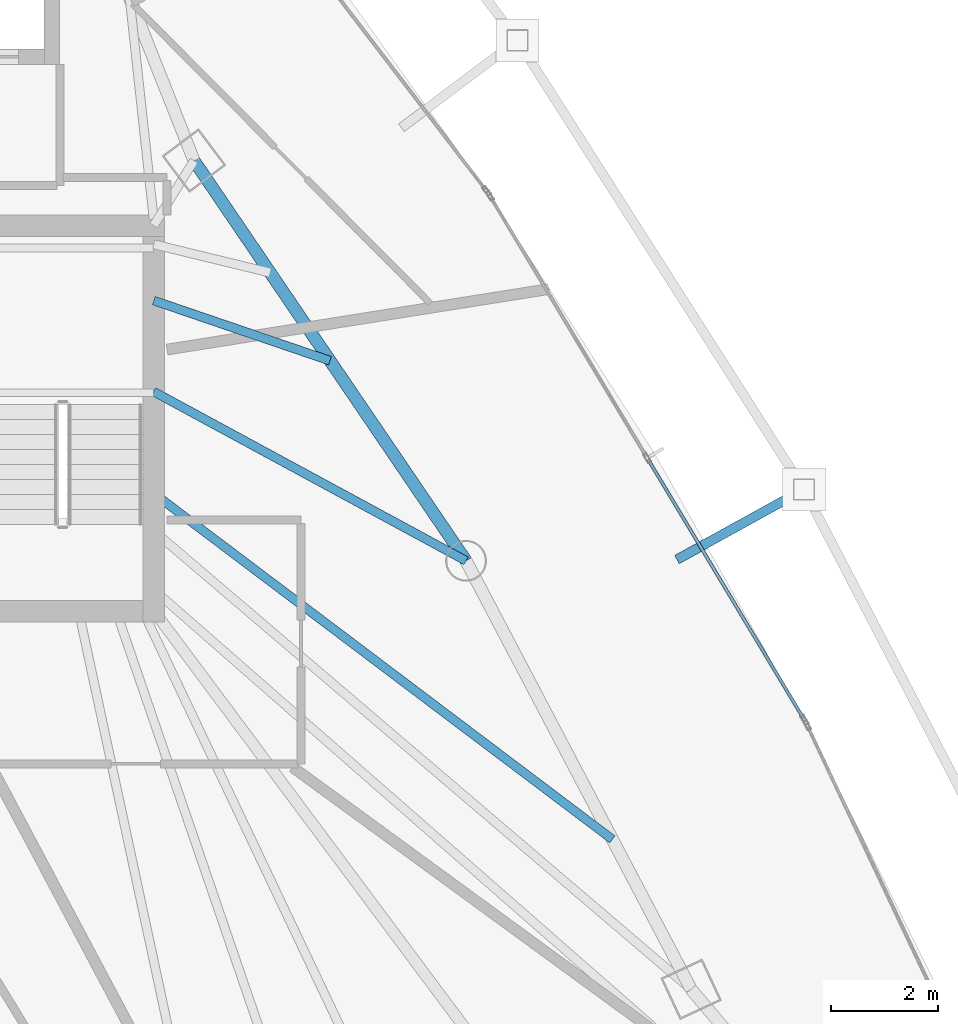
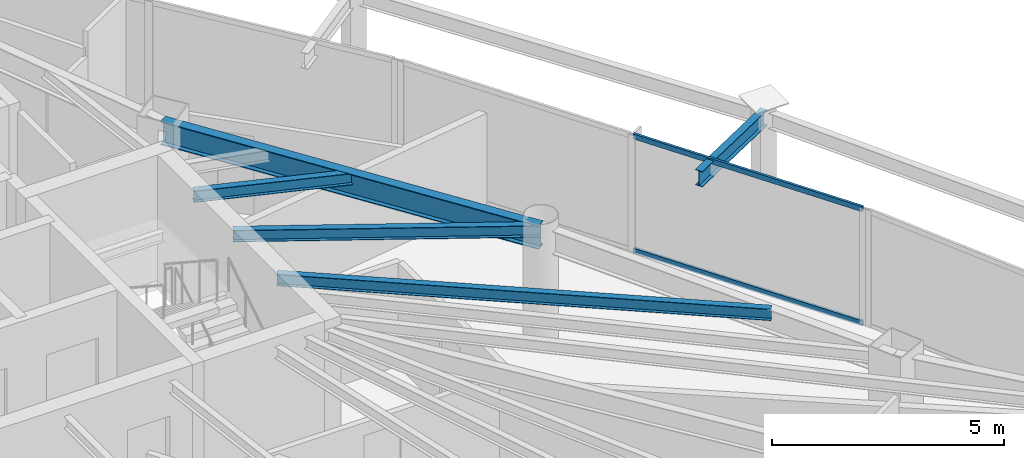
# One storey, part 17 of 33: 5 beams, 2 members, 1 element without a shape of its own.
"""IFC4 building model written with IfcOpenShell, lengths in metres."""

from ifc_helpers import new_model, si_unit, direction, frame, origin, origin_2d, place, context, subcontext, project, spatial, hollow_rectangle, i_section, extrude, material, layer, layer_set, material_profile, profile_set, type_object, element, aggregate, save


model = new_model("IFC4")

# Units and contexts
model_context = context("Model", 3, precision=1e-05, world=origin(), true_north=direction((0.0, 1.0)))
body_context = subcontext(model_context, "Body", "Model", "MODEL_VIEW")
ifc_project = project(units=[si_unit("LENGTHUNIT", "METRE"), si_unit("AREAUNIT", "SQUARE_METRE"), si_unit("VOLUMEUNIT", "CUBIC_METRE"), si_unit("PLANEANGLEUNIT", "RADIAN"), si_unit("MASSUNIT", "GRAM", prefix="KILO")], contexts=[model_context])

# Site, building, storey
site_placement = place(None, origin())
site = spatial("IfcSite", under=ifc_project, at=site_placement, CompositionType="ELEMENT")
building_placement = place(site_placement, origin())
building = spatial("IfcBuilding", under=site, at=building_placement, Name="Orvanel Arch Residences", CompositionType="ELEMENT")
storey_placement = place(building_placement, frame((0.0, 0.0, 123.199951171875)))
storey = spatial("IfcBuildingStorey", under=building, at=storey_placement, Name="L34", CompositionType="ELEMENT", Elevation=123.199951171875)

# Beams
ifc_material_1 = material(Name="Structural steel AS/NZS 3679.1 Grade 300 (300 MPa)", Category="steel")
ifc_material_profile_1 = material_profile(ifc_material_1, i_section(OverallWidth=0.1650390625, OverallDepth=0.303955078125, WebThickness=0.006103515625, FlangeThickness=0.01025390625, at=origin_2d()), Name="310UB40.4")
ifc_profile_set_1 = profile_set([ifc_material_profile_1], Name="Structural steel AS/NZS 3679.1 Grade 300 (300 MPa)")
beam_type_1 = type_object("IfcBeamType", Name="BJ-310UB", PredefinedType="JOIST", material=ifc_profile_set_1)
beam_1_placement = place(storey_placement, frame((39.60009765625, 30.800048828125, 2.907958984375), z_axis=(0.87925534649, -0.476350748576, 0.0), x_axis=(0.476350748576, 0.87925534649, 0.0)))
element("IfcBeam", 1, at=beam_1_placement, inside=storey, type_object=beam_type_1, Name="L34 NE Wing Floor Joist", PredefinedType="JOIST", context=body_context, shape_type="SweptSolid", body=[
    extrude(i_section(OverallWidth=0.1650390625, OverallDepth=0.303955078125, WebThickness=0.006103515625, FlangeThickness=0.01025390625, at=origin_2d()), origin(), (0.0, 0.0, 1.0), 6.631591796875),
])
beam_2_placement = place(storey_placement, frame((39.60009765625, 32.5, 2.907958984375), z_axis=(0.9464126781, -0.322959815969, 0.0), x_axis=(0.322959815969, 0.9464126781, 0.0)))
element("IfcBeam", 2, at=beam_2_placement, inside=storey, type_object=beam_type_1, Name="L34 ENE Wing Floor Joist", PredefinedType="JOIST", context=body_context, shape_type="SweptSolid", body=[
    extrude(i_section(OverallWidth=0.1650390625, OverallDepth=0.303955078125, WebThickness=0.006103515625, FlangeThickness=0.01025390625, at=origin_2d()), origin(), (0.0, 0.0, 1.0), 3.477294921875),
])
beam_3_placement = place(storey_placement, frame((39.60009765625, 28.89990234375, 2.907958984375), z_axis=(0.798363428886, -0.602175917334, 0.0), x_axis=(0.602175917334, 0.798363428886, 0.0)))
element("IfcBeam", 3, at=beam_3_placement, inside=storey, type_object=beam_type_1, Name="L34 CTE Wing Floor Joist", PredefinedType="JOIST", context=body_context, shape_type="SweptSolid", body=[
    extrude(i_section(OverallWidth=0.1650390625, OverallDepth=0.303955078125, WebThickness=0.006103515625, FlangeThickness=0.01025390625, at=origin_2d()), origin(), (0.0, 0.0, 1.0), 10.724365234375),
])
ifc_material_profile_2 = material_profile(ifc_material_1, i_section(OverallWidth=0.177978515625, OverallDepth=0.406005859375, WebThickness=0.0078125, FlangeThickness=0.0126953125, at=origin_2d()), Name="410UB59.7")
ifc_profile_set_2 = profile_set([ifc_material_profile_2], Name="Structural steel AS/NZS 3679.1 Grade 300 (300 MPa)")
beam_type_2 = type_object("IfcBeamType", Name="OB-410UB-EXT", PredefinedType="SPANDREL", material=ifc_profile_set_2)
beam_4_placement = place(storey_placement, frame((49.368896484375, 27.6650390625, 2.85693359375), z_axis=(0.87562896398, 0.48298438633, 0.0), x_axis=(-0.48298438633, 0.87562896398, 0.0)))
element("IfcBeam", 4, at=beam_4_placement, inside=storey, type_object=beam_type_2, Name="L34 Outer Frame Radial Tie Beam 10", PredefinedType="SPANDREL", context=body_context, shape_type="SweptSolid", body=[
    extrude(i_section(OverallWidth=0.177978515625, OverallDepth=0.406005859375, WebThickness=0.0078125, FlangeThickness=0.0126953125, at=origin_2d()), origin(), (0.0, 0.0, 1.0), 2.707763671875),
])
ifc_material_profile_3 = material_profile(ifc_material_1, i_section(OverallWidth=0.22900390625, OverallDepth=0.612060546875, WebThickness=0.011962890625, FlangeThickness=0.01953125, at=origin_2d()), Name="610UB125")
ifc_profile_set_3 = profile_set([ifc_material_profile_3], Name="Structural steel AS/NZS 3679.1 Grade 300 (300 MPa)")
beam_type_3 = type_object("IfcBeamType", Name="SP-610UB", PredefinedType="SPANDREL", material=ifc_profile_set_3)
beam_5_placement = place(storey_placement, frame((45.430908203125, 27.64111328125, 2.754150390625), z_axis=(-0.562154793153, 0.827032035978, 0.0), x_axis=(-0.827032035978, -0.562154793153, 0.0)))
element("IfcBeam", 5, at=beam_5_placement, inside=storey, type_object=beam_type_3, Name="L34 Perimeter Spandrel Beam 12", PredefinedType="SPANDREL", context=body_context, shape_type="SweptSolid", body=[
    extrude(i_section(OverallWidth=0.22900390625, OverallDepth=0.612060546875, WebThickness=0.011962890625, FlangeThickness=0.01953125, at=origin_2d()), origin(), (0.0, 0.0, 1.0), 9.03466796875),
])

# Curtain wall, members
ifc_material_2 = material(Name="Bronze-anodised aluminium AA6063-T6", Category="aluminium")
ifc_layer = layer(ifc_material_2, 0.179931640625)
ifc_layer_set = layer_set([ifc_layer], Name="Bronze-anodised aluminium AA6063-T6")
curtain_wall_type = type_object("IfcCurtainWallType", Name="CW3-MID-SYS", PredefinedType="NOTDEFINED", material=ifc_layer_set)
curtain_wall_placement = place(storey_placement, origin())
curtain_wall = element("IfcCurtainWall", 6, at=curtain_wall_placement, inside=storey, type_object=curtain_wall_type, Name="L34 CW3-MID-SYS Unitised Curtain Wall", PredefinedType="NOTDEFINED")
ifc_material_profile_4 = material_profile(ifc_material_2, hollow_rectangle(XDim=0.06005859375, YDim=0.135009765625, WallThickness=0.00390625, at=origin_2d()), Name="ALU135x60x4")
ifc_profile_set_4 = profile_set([ifc_material_profile_4], Name="Bronze-anodised aluminium AA6063-T6")
member_type = type_object("IfcMemberType", Name="TRN-135x60", PredefinedType="USERDEFINED", material=ifc_profile_set_4)
member_1_placement = place(storey_placement, frame((51.73095703125, 24.698974609375, 0.030029296875), z_axis=(-0.514444792144, 0.857523501623, 0.0), x_axis=(-0.857523501623, -0.514444792144, 0.0)))
member_1 = element("IfcMember", 7, at=member_1_placement, type_object=member_type, Name="CW-S3 transom 1.1", ObjectType="TRANSOM", PredefinedType="USERDEFINED", context=body_context, shape_type="SweptSolid", body=[
    extrude(hollow_rectangle(XDim=0.06005859375, YDim=0.135009765625, WallThickness=0.00390625, at=origin_2d()), origin(), (0.0, 0.0, 1.0), 5.635986328125),
])
member_2_placement = place(storey_placement, frame((51.73095703125, 24.698974609375, 3.030029296875), z_axis=(-0.514444792144, 0.857523501623, 0.0), x_axis=(-0.857523501623, -0.514444792144, 0.0)))
member_2 = element("IfcMember", 8, at=member_2_placement, type_object=member_type, Name="CW-S3 transom 1.2", ObjectType="TRANSOM", PredefinedType="USERDEFINED", context=body_context, shape_type="SweptSolid", body=[
    extrude(hollow_rectangle(XDim=0.06005859375, YDim=0.135009765625, WallThickness=0.00390625, at=origin_2d()), origin(), (0.0, 0.0, 1.0), 5.635986328125),
])
aggregate(curtain_wall, [member_1, member_2])

save(model, "model.ifc")
